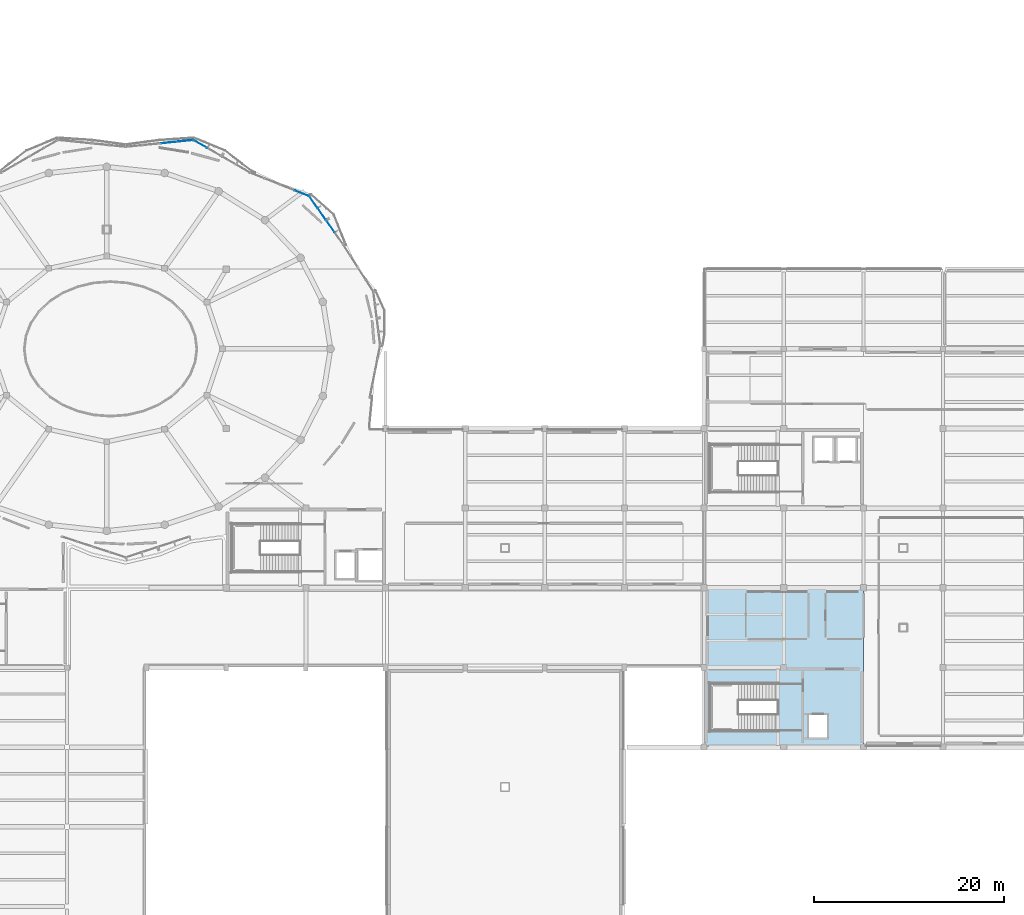
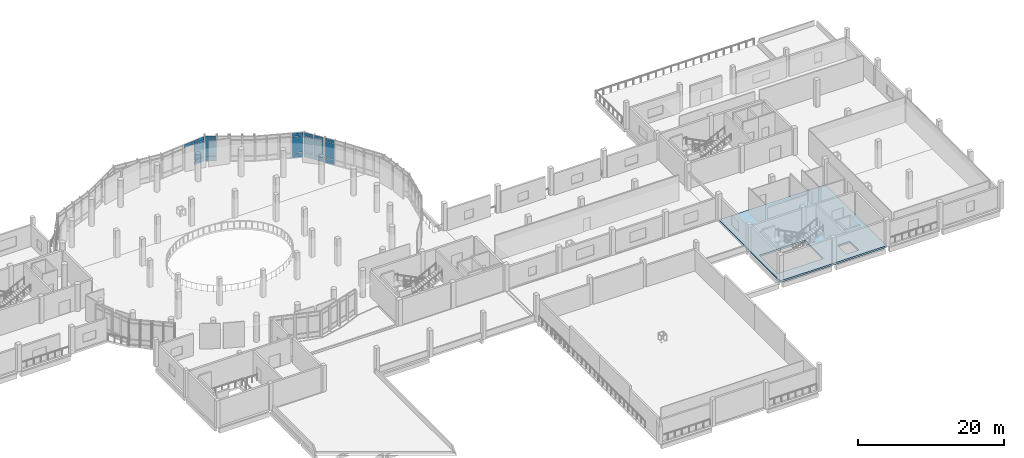
# One storey, part 25 of 46: 19 plates, 1 slab, 5 elements without a shape of their own.
"""IFC4 building model written with IfcOpenShell, lengths in metres."""

from ifc_helpers import new_model, si_unit, derived_unit, direction, frame, origin, origin_2d, place, context, subcontext, project, spatial, polyline, rectangle, outline, extrude, material, layer, layer_set, type_object, element, aggregate, save


model = new_model("IFC4")

# Units and contexts
model_context = context("Model", 3, precision=1e-05, world=origin(), true_north=direction((0.0, 1.0)))
body_context = subcontext(model_context, "Body", "Model", "MODEL_VIEW")
ifc_project = project(units=[si_unit("LENGTHUNIT", "METRE"), si_unit("AREAUNIT", "SQUARE_METRE"), si_unit("VOLUMEUNIT", "CUBIC_METRE"), si_unit("PLANEANGLEUNIT", "RADIAN"), si_unit("MASSUNIT", "GRAM", prefix="KILO"), derived_unit("THERMALTRANSMITTANCEUNIT", [(si_unit("POWERUNIT", "WATT"), 1), (si_unit("LENGTHUNIT", "METRE"), -2), (si_unit("THERMODYNAMICTEMPERATUREUNIT", "KELVIN"), -1)])], contexts=[model_context])

# Site, building, storey
site_placement = place(None, origin())
site = spatial("IfcSite", under=ifc_project, at=site_placement, CompositionType="ELEMENT")
building_placement = place(site_placement, origin())
building = spatial("IfcBuilding", under=site, at=building_placement, Name="Elbkamm Science Centre", CompositionType="ELEMENT")
storey_placement = place(building_placement, frame((0.0, 0.0, 9.89990234375)))
storey = spatial("IfcBuildingStorey", under=building, at=storey_placement, Name="L02", CompositionType="ELEMENT", Elevation=9.89990234375)

# Curtain wall, plates
ifc_material_1 = material(Name="Powder-coated aluminium and triple low-E glazing", Category="aluminium")
ifc_layer_1 = layer(ifc_material_1, 0.159912109375)
ifc_layer_set_1 = layer_set([ifc_layer_1], Name="Powder-coated aluminium and triple low-E glazing")
curtain_wall_type_1 = type_object("IfcCurtainWallType", Name="CW-UNIT-3060x4220", PredefinedType="USERDEFINED", material=ifc_layer_set_1)
curtain_wall_1_placement = place(storey_placement, origin())
curtain_wall_1 = element("IfcCurtainWall", 1, at=curtain_wall_1_placement, inside=storey, type_object=curtain_wall_type_1, Name="L02 Unitised Curtain Wall 020", ObjectType="UNITISED CURTAIN WALL", PredefinedType="USERDEFINED")
ifc_material_2 = material(Name="Triple solar-control insulated safety glass", Category="glass")
ifc_layer_2 = layer(ifc_material_2, 0.0400390625)
ifc_layer_set_2 = layer_set([ifc_layer_2], Name="Triple solar-control insulated safety glass")
plate_type = type_object("IfcPlateType", Name="CW-PNL-40", PredefinedType="CURTAIN_PANEL", material=ifc_layer_set_2)
plate_1_placement = place(storey_placement, frame((86.616943359375, 80.09130859375, 0.070068359375), z_axis=(0.0, 0.0, 1.0), x_axis=(-0.575651750443, 0.817694968929, 0.0)))
plate_1 = element("IfcPlate", 2, at=plate_1_placement, type_object=plate_type, Name="CW-012 panel 2.1", PredefinedType="CURTAIN_PANEL", context=body_context, shape_type="SweptSolid", body=[
    extrude(rectangle(XDim=1.420166015625, YDim=0.0400390625, at=origin_2d()), origin(), (0.0, 0.0, 1.0), 0.7451171875),
])
plate_2_placement = place(storey_placement, frame((86.616943359375, 80.09130859375, 0.88525390625), z_axis=(0.0, 0.0, 1.0), x_axis=(-0.575651750443, 0.817694968929, 0.0)))
plate_2 = element("IfcPlate", 3, at=plate_2_placement, type_object=plate_type, Name="CW-012 panel 2.2", PredefinedType="CURTAIN_PANEL", context=body_context, shape_type="SweptSolid", body=[
    extrude(rectangle(XDim=1.420166015625, YDim=0.0400390625, at=origin_2d()), origin(), (0.0, 0.0, 1.0), 2.64990234375),
])
plate_3_placement = place(storey_placement, frame((86.616943359375, 80.09130859375, 3.605224609375), z_axis=(0.0, 0.0, 1.0), x_axis=(-0.575651750443, 0.817694968929, 0.0)))
plate_3 = element("IfcPlate", 4, at=plate_3_placement, type_object=plate_type, Name="CW-012 panel 2.3", PredefinedType="CURTAIN_PANEL", context=body_context, shape_type="SweptSolid", body=[
    extrude(rectangle(XDim=1.420166015625, YDim=0.0400390625, at=origin_2d()), origin(), (0.0, 0.0, 1.0), 0.544921875),
])
aggregate(curtain_wall_1, [plate_1, plate_2, plate_3])

curtain_wall_2_placement = place(storey_placement, origin())
curtain_wall_2 = element("IfcCurtainWall", 5, at=curtain_wall_2_placement, inside=storey, type_object=curtain_wall_type_1, Name="L02 Unitised Curtain Wall 021", ObjectType="UNITISED CURTAIN WALL", PredefinedType="USERDEFINED")
plate_4_placement = place(storey_placement, frame((85.672607421875, 81.4326171875, 0.070068359375), z_axis=(0.0, 0.0, 1.0), x_axis=(-0.575651750443, 0.817694968929, 0.0)))
plate_4 = element("IfcPlate", 6, at=plate_4_placement, type_object=plate_type, Name="CW-012 panel 1.1", PredefinedType="CURTAIN_PANEL", context=body_context, shape_type="SweptSolid", body=[
    extrude(rectangle(XDim=1.420166015625, YDim=0.0400390625, at=origin_2d()), origin(), (0.0, 0.0, 1.0), 0.7451171875),
])
plate_5_placement = place(storey_placement, frame((85.672607421875, 81.4326171875, 0.88525390625), z_axis=(0.0, 0.0, 1.0), x_axis=(-0.575651750443, 0.817694968929, 0.0)))
plate_5 = element("IfcPlate", 7, at=plate_5_placement, type_object=plate_type, Name="CW-012 panel 1.2", PredefinedType="CURTAIN_PANEL", context=body_context, shape_type="SweptSolid", body=[
    extrude(rectangle(XDim=1.420166015625, YDim=0.0400390625, at=origin_2d()), origin(), (0.0, 0.0, 1.0), 2.64990234375),
])
plate_6_placement = place(storey_placement, frame((85.672607421875, 81.4326171875, 3.605224609375), z_axis=(0.0, 0.0, 1.0), x_axis=(-0.575651750443, 0.817694968929, 0.0)))
plate_6 = element("IfcPlate", 8, at=plate_6_placement, type_object=plate_type, Name="CW-012 panel 1.3", PredefinedType="CURTAIN_PANEL", context=body_context, shape_type="SweptSolid", body=[
    extrude(rectangle(XDim=1.420166015625, YDim=0.0400390625, at=origin_2d()), origin(), (0.0, 0.0, 1.0), 0.544921875),
])
plate_7_placement = place(storey_placement, frame((84.81494140625, 82.651123046875, 0.070068359375), z_axis=(0.0, 0.0, 1.0), x_axis=(-0.575651750443, 0.817694968929, 0.0)))
plate_7 = element("IfcPlate", 9, at=plate_7_placement, type_object=plate_type, Name="CW-012 panel 2.1", PredefinedType="CURTAIN_PANEL", context=body_context, shape_type="SweptSolid", body=[
    extrude(rectangle(XDim=1.420166015625, YDim=0.0400390625, at=origin_2d()), origin(), (0.0, 0.0, 1.0), 0.7451171875),
])
plate_8_placement = place(storey_placement, frame((84.81494140625, 82.651123046875, 0.88525390625), z_axis=(0.0, 0.0, 1.0), x_axis=(-0.575651750443, 0.817694968929, 0.0)))
plate_8 = element("IfcPlate", 10, at=plate_8_placement, type_object=plate_type, Name="CW-012 panel 2.2", PredefinedType="CURTAIN_PANEL", context=body_context, shape_type="SweptSolid", body=[
    extrude(rectangle(XDim=1.420166015625, YDim=0.0400390625, at=origin_2d()), origin(), (0.0, 0.0, 1.0), 2.64990234375),
])
plate_9_placement = place(storey_placement, frame((84.81494140625, 82.651123046875, 3.605224609375), z_axis=(0.0, 0.0, 1.0), x_axis=(-0.575651750443, 0.817694968929, 0.0)))
plate_9 = element("IfcPlate", 11, at=plate_9_placement, type_object=plate_type, Name="CW-012 panel 2.3", PredefinedType="CURTAIN_PANEL", context=body_context, shape_type="SweptSolid", body=[
    extrude(rectangle(XDim=1.420166015625, YDim=0.0400390625, at=origin_2d()), origin(), (0.0, 0.0, 1.0), 0.544921875),
])
aggregate(curtain_wall_2, [plate_4, plate_5, plate_6, plate_7, plate_8, plate_9])

ifc_layer_3 = layer(ifc_material_1, 0.159912109375)
ifc_layer_set_3 = layer_set([ifc_layer_3], Name="Powder-coated aluminium and triple low-E glazing")
curtain_wall_type_2 = type_object("IfcCurtainWallType", Name="CW-UNIT-3340x4220", PredefinedType="USERDEFINED", material=ifc_layer_set_3)
curtain_wall_3_placement = place(storey_placement, origin())
curtain_wall_3 = element("IfcCurtainWall", 12, at=curtain_wall_3_placement, inside=storey, type_object=curtain_wall_type_2, Name="L02 Unitised Curtain Wall 022", ObjectType="UNITISED CURTAIN WALL", PredefinedType="USERDEFINED")
plate_10_placement = place(storey_placement, frame((83.5751953125, 83.60302734375, 0.070068359375), z_axis=(0.0, 0.0, 1.0), x_axis=(-0.929365763256, 0.369160233621, 0.0)))
plate_10 = element("IfcPlate", 13, at=plate_10_placement, type_object=plate_type, Name="CW-013 panel 1.1", PredefinedType="CURTAIN_PANEL", context=body_context, shape_type="SweptSolid", body=[
    extrude(rectangle(XDim=1.5615234375, YDim=0.0400390625, at=origin_2d()), origin(), (0.0, 0.0, 1.0), 0.7451171875),
])
plate_11_placement = place(storey_placement, frame((83.5751953125, 83.60302734375, 0.88525390625), z_axis=(0.0, 0.0, 1.0), x_axis=(-0.929365763256, 0.369160233621, 0.0)))
plate_11 = element("IfcPlate", 14, at=plate_11_placement, type_object=plate_type, Name="CW-013 panel 1.2", PredefinedType="CURTAIN_PANEL", context=body_context, shape_type="SweptSolid", body=[
    extrude(rectangle(XDim=1.5615234375, YDim=0.0400390625, at=origin_2d()), origin(), (0.0, 0.0, 1.0), 2.64990234375),
])
plate_12_placement = place(storey_placement, frame((83.5751953125, 83.60302734375, 3.605224609375), z_axis=(0.0, 0.0, 1.0), x_axis=(-0.929365763256, 0.369160233621, 0.0)))
plate_12 = element("IfcPlate", 15, at=plate_12_placement, type_object=plate_type, Name="CW-013 panel 1.3", PredefinedType="CURTAIN_PANEL", context=body_context, shape_type="SweptSolid", body=[
    extrude(rectangle(XDim=1.5615234375, YDim=0.0400390625, at=origin_2d()), origin(), (0.0, 0.0, 1.0), 0.544921875),
])
aggregate(curtain_wall_3, [plate_10, plate_11, plate_12])

ifc_layer_4 = layer(ifc_material_1, 0.159912109375)
ifc_layer_set_4 = layer_set([ifc_layer_4], Name="Powder-coated aluminium and triple low-E glazing")
curtain_wall_type_3 = type_object("IfcCurtainWallType", Name="CW-UNIT-3400x4220", PredefinedType="USERDEFINED", material=ifc_layer_set_4)
curtain_wall_4_placement = place(storey_placement, origin())
curtain_wall_4 = element("IfcCurtainWall", 16, at=curtain_wall_4_placement, inside=storey, type_object=curtain_wall_type_3, Name="L02 Unitised Curtain Wall 025", ObjectType="UNITISED CURTAIN WALL", PredefinedType="USERDEFINED")
plate_13_placement = place(storey_placement, frame((72.890380859375, 88.787353515625, 0.070068359375), z_axis=(0.0, 0.0, 1.0), x_axis=(-0.865840156324, 0.500320720834, 0.0)))
plate_13 = element("IfcPlate", 17, at=plate_13_placement, type_object=plate_type, Name="CW-014 panel 2.1", PredefinedType="CURTAIN_PANEL", context=body_context, shape_type="SweptSolid", body=[
    extrude(rectangle(XDim=1.594970703125, YDim=0.0400390625, at=origin_2d()), origin(), (0.0, 0.0, 1.0), 0.7451171875),
])
plate_14_placement = place(storey_placement, frame((72.890380859375, 88.787353515625, 0.88525390625), z_axis=(0.0, 0.0, 1.0), x_axis=(-0.865840156324, 0.500320720834, 0.0)))
plate_14 = element("IfcPlate", 18, at=plate_14_placement, type_object=plate_type, Name="CW-014 panel 2.2", PredefinedType="CURTAIN_PANEL", context=body_context, shape_type="SweptSolid", body=[
    extrude(rectangle(XDim=1.594970703125, YDim=0.0400390625, at=origin_2d()), origin(), (0.0, 0.0, 1.0), 2.64990234375),
])
plate_15_placement = place(storey_placement, frame((72.890380859375, 88.787353515625, 3.605224609375), z_axis=(0.0, 0.0, 1.0), x_axis=(-0.865840156324, 0.500320720834, 0.0)))
plate_15 = element("IfcPlate", 19, at=plate_15_placement, type_object=plate_type, Name="CW-014 panel 2.3", PredefinedType="CURTAIN_PANEL", context=body_context, shape_type="SweptSolid", body=[
    extrude(rectangle(XDim=1.594970703125, YDim=0.0400390625, at=origin_2d()), origin(), (0.0, 0.0, 1.0), 0.544921875),
])
aggregate(curtain_wall_4, [plate_13, plate_14, plate_15])

ifc_layer_5 = layer(ifc_material_1, 0.159912109375)
ifc_layer_set_5 = layer_set([ifc_layer_5], Name="Powder-coated aluminium and triple low-E glazing")
curtain_wall_type_4 = type_object("IfcCurtainWallType", Name="CW-UNIT-3540x4220", PredefinedType="USERDEFINED", material=ifc_layer_set_5)
curtain_wall_5_placement = place(storey_placement, origin())
curtain_wall_5 = element("IfcCurtainWall", 20, at=curtain_wall_5_placement, inside=storey, type_object=curtain_wall_type_4, Name="L02 Unitised Curtain Wall 026", ObjectType="UNITISED CURTAIN WALL", PredefinedType="USERDEFINED")
plate_16_placement = place(storey_placement, frame((71.239501953125, 89.129150390625, 0.070068359375), z_axis=(0.0, 0.0, 1.0), x_axis=(-0.994794045951, -0.101905869017, 0.0)))
plate_16 = element("IfcPlate", 21, at=plate_16_placement, type_object=plate_type, Name="CW-015 panel 1.1", PredefinedType="CURTAIN_PANEL", context=body_context, shape_type="SweptSolid", body=[
    extrude(rectangle(XDim=1.669189453125, YDim=0.0400390625, at=origin_2d()), origin(), (0.0, 0.0, 1.0), 0.7451171875),
])
plate_17_placement = place(storey_placement, frame((71.239501953125, 89.129150390625, 0.88525390625), z_axis=(0.0, 0.0, 1.0), x_axis=(-0.994794045951, -0.101905869017, 0.0)))
plate_17 = element("IfcPlate", 22, at=plate_17_placement, type_object=plate_type, Name="CW-015 panel 1.2", PredefinedType="CURTAIN_PANEL", context=body_context, shape_type="SweptSolid", body=[
    extrude(rectangle(XDim=1.669189453125, YDim=0.0400390625, at=origin_2d()), origin(), (0.0, 0.0, 1.0), 2.64990234375),
])
plate_18_placement = place(storey_placement, frame((71.239501953125, 89.129150390625, 3.605224609375), z_axis=(0.0, 0.0, 1.0), x_axis=(-0.994794045951, -0.101905869017, 0.0)))
plate_18 = element("IfcPlate", 23, at=plate_18_placement, type_object=plate_type, Name="CW-015 panel 1.3", PredefinedType="CURTAIN_PANEL", context=body_context, shape_type="SweptSolid", body=[
    extrude(rectangle(XDim=1.669189453125, YDim=0.0400390625, at=origin_2d()), origin(), (0.0, 0.0, 1.0), 0.544921875),
])
plate_19_placement = place(storey_placement, frame((69.50927734375, 88.951904296875, 3.605224609375), z_axis=(0.0, 0.0, 1.0), x_axis=(-0.994794045951, -0.101905869017, 0.0)))
plate_19 = element("IfcPlate", 24, at=plate_19_placement, type_object=plate_type, Name="CW-015 panel 2.3", PredefinedType="CURTAIN_PANEL", context=body_context, shape_type="SweptSolid", body=[
    extrude(rectangle(XDim=1.669189453125, YDim=0.0400390625, at=origin_2d()), origin(), (0.0, 0.0, 1.0), 0.544921875),
])
aggregate(curtain_wall_5, [plate_16, plate_17, plate_18, plate_19])

# Slab
ifc_material_3 = material(Name="Reinforced concrete C40/50", Category="concrete")
ifc_layer_6 = layer(ifc_material_3, 0.300048828125)
ifc_layer_set_6 = layer_set([ifc_layer_6], Name="Reinforced concrete C40/50")
slab_type = type_object("IfcSlabType", Name="SLAB-FLR-300", PredefinedType="FLOOR", material=ifc_layer_set_6)
slab_placement = place(storey_placement, frame((0.0, 0.0, -0.2998046875)))
element("IfcSlab", 25, at=slab_placement, inside=storey, type_object=slab_type, Name="L02 Structural Slab E1S-08", PredefinedType="FLOOR", context=body_context, shape_type="SweptSolid", body=[
    extrude(outline(polyline([(126.02490234375, 25.199951171875), (126.02490234375, 42.0), (142.800048828125, 42.0), (142.800048828125, 25.199951171875), (126.02490234375, 25.199951171875)]), holes=[polyline([(133.780029296875, 26.8798828125), (133.780029296875, 31.919921875), (126.60009765625, 31.919921875), (126.60009765625, 26.8798828125), (133.780029296875, 26.8798828125)]), polyline([(138.949951171875, 26.199951171875), (138.949951171875, 28.60009765625), (137.050048828125, 28.60009765625), (137.050048828125, 26.199951171875), (138.949951171875, 26.199951171875)])]), origin(), (0.0, 0.0, 1.0), 0.2998046875),
])

save(model, "model.ifc")
